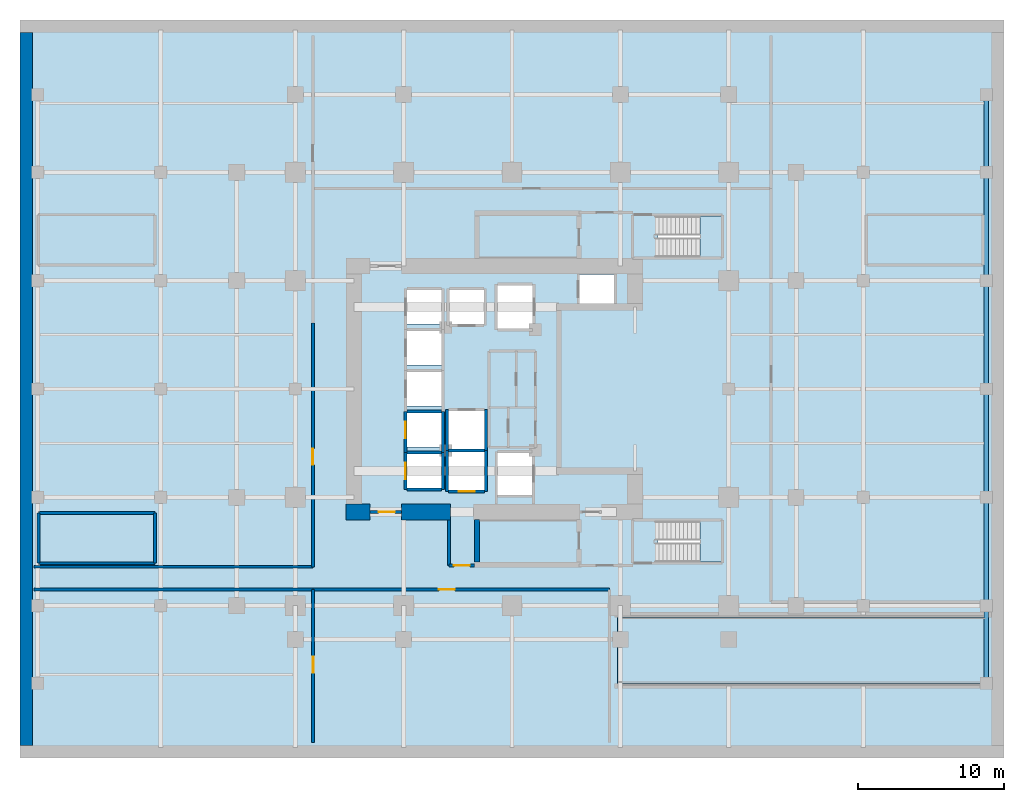
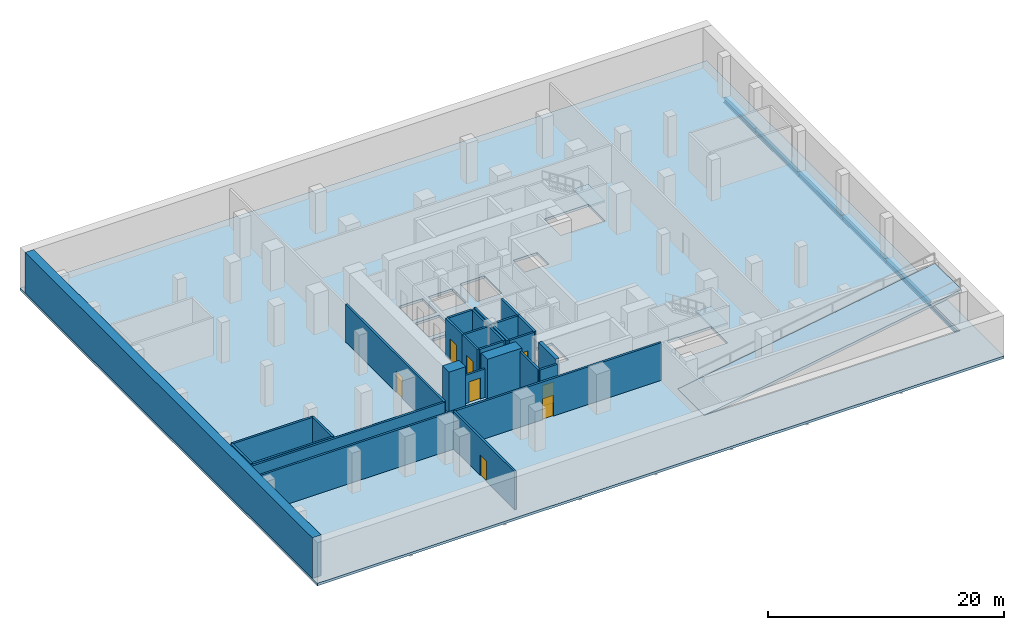
# One storey, part 3 of 7: 29 walls, 8 doors, 6 beams, 4 slabs, 8 openings, 2 elements without a shape of their own.
"""IFC4 building model written with IfcOpenShell, lengths in metres."""

import ifcopenshell
import ifcopenshell.guid

model = None  # the IFC model being written
_history = None  # IfcOwnerHistory: only IFC2X3 demands one
_inside = {}  # id of a spatial element -> (the spatial element, [elements in it])
_under = {}  # id of a project, library or spatial element -> (it, [spatial elements below it])
_declared = {}  # id of a project -> (the project, [libraries it declares])
_typed = {}  # id of a type object -> (the type object, [elements of that type])
_made_of = {}  # id of a material, layer set ... -> (it, [elements and type objects made of it])


def new_model(schema):
    """Start an empty IFC model of exactly this schema.

    Asked for "IFC4X3", IfcOpenShell would pick the latest addendum, in which some entities
    have other attributes; the version numbers below select the first issue.
    IFC2X3 requires an IfcOwnerHistory on every rooted entity: one is made here for all.
    """
    global model, _history
    if schema == "IFC4X3":
        model = ifcopenshell.file(schema_version=(4, 3, 0, 0))
    else:
        model = ifcopenshell.file(schema=schema)
    _inside.clear()
    _under.clear()
    _declared.clear()
    _typed.clear()
    _made_of.clear()
    _history = None
    if model.schema == "IFC2X3":
        org = make("IfcOrganization", Name="unknown")
        user = make(
            "IfcPersonAndOrganization",
            ThePerson=make("IfcPerson", FamilyName="unknown"),
            TheOrganization=org,
        )
        app = make(
            "IfcApplication",
            ApplicationDeveloper=org,
            Version="unknown",
            ApplicationFullName="unknown",
            ApplicationIdentifier="unknown",
        )
        _history = make(
            "IfcOwnerHistory",
            OwningUser=user,
            OwningApplication=app,
            ChangeAction="ADDED",
            CreationDate=0,
        )
    return model


def make(cls, **values):
    """One entity of the class cls with the attributes given. An attribute that is None is left unset."""
    return model.create_entity(
        cls, **{name: value for name, value in values.items() if value is not None}
    )


def rooted(cls, **values):
    """An entity with a GlobalId (a new one), such as an element, a storey or a relation."""
    return make(cls, GlobalId=ifcopenshell.guid.new(), OwnerHistory=_history, **values)


def si_unit(unit_type, name, prefix=None):
    """IfcSIUnit, for example si_unit("LENGTHUNIT", "METRE", prefix="MILLI")."""
    return make("IfcSIUnit", UnitType=unit_type, Prefix=prefix, Name=name)


def assignment(units):
    """IfcUnitAssignment: the units of a project."""
    return None if units is None else make("IfcUnitAssignment", Units=units)


def point(xyz):
    """IfcCartesianPoint."""
    return None if xyz is None else make("IfcCartesianPoint", Coordinates=xyz)


def direction(xyz):
    """IfcDirection."""
    return None if xyz is None else make("IfcDirection", DirectionRatios=xyz)


def frame(location, z_axis=None, x_axis=None):
    """IfcAxis2Placement3D, a coordinate frame: its origin and axes. An axis left out is left unset."""
    return make(
        "IfcAxis2Placement3D",
        Location=point(location),
        Axis=direction(z_axis),
        RefDirection=direction(x_axis),
    )


def frame_2d(location, x_axis=None):
    """IfcAxis2Placement2D, a coordinate frame in the plane: its origin and x axis."""
    return make(
        "IfcAxis2Placement2D", Location=point(location), RefDirection=direction(x_axis)
    )


def origin():
    """The frame at (0, 0, 0) with its axes left unset."""
    return frame((0.0, 0.0, 0.0))


def origin_2d():
    """The frame at (0, 0) in the plane with its x axis left unset."""
    return frame_2d((0.0, 0.0))


def place(relative_to, where):
    """IfcLocalPlacement: puts the frame where relative to a parent placement (None: the world)."""
    return make(
        "IfcLocalPlacement", PlacementRelTo=relative_to, RelativePlacement=where
    )


def context(
    kind, dimensions, precision=None, world=None, true_north=None, identifier=None
):
    """IfcGeometricRepresentationContext, for example the 3D "Model" context."""
    return make(
        "IfcGeometricRepresentationContext",
        ContextIdentifier=identifier,
        ContextType=kind,
        CoordinateSpaceDimension=dimensions,
        Precision=precision,
        WorldCoordinateSystem=world,
        TrueNorth=true_north,
    )


def subcontext(parent, identifier, kind, view, scale=None):
    """IfcGeometricRepresentationSubContext, for example "Body" below "Model"."""
    return make(
        "IfcGeometricRepresentationSubContext",
        ContextIdentifier=identifier,
        ContextType=kind,
        ParentContext=parent,
        TargetScale=scale,
        TargetView=view,
    )


def project(units=None, contexts=None):
    """IfcProject with its units and contexts."""
    return rooted(
        "IfcProject",
        Name="project",
        RepresentationContexts=contexts,
        UnitsInContext=assignment(units),
    )


def spatial(cls, under=None, at=None, **own):
    """A site, building, storey or space (cls), placed at a placement, below another one or the project."""
    s = rooted(cls, ObjectPlacement=at, **own)
    if under is not None:
        _under.setdefault(under.id(), (under, []))[1].append(s)
    return s


def polyline(points):
    """IfcPolyline through the points."""
    return make("IfcPolyline", Points=[point(p) for p in points])


def profile(cls, at=None, kind="AREA", **sizes):
    """A parametric profile (cls). Its sizes go by their IFC names, for example OverallWidth=200.0."""
    return make(cls, ProfileType=kind, Position=at, **sizes)


def rectangle(**sizes):
    """IfcRectangleProfileDef."""
    return profile("IfcRectangleProfileDef", **sizes)


def i_section(**sizes):
    """IfcIShapeProfileDef."""
    return profile("IfcIShapeProfileDef", **sizes)


def outline(outer, holes=None, kind="AREA"):
    """IfcArbitraryClosedProfileDef: a profile drawn as a closed curve; with holes, ...WithVoids."""
    if holes is None:
        return make("IfcArbitraryClosedProfileDef", ProfileType=kind, OuterCurve=outer)
    return make(
        "IfcArbitraryProfileDefWithVoids",
        ProfileType=kind,
        OuterCurve=outer,
        InnerCurves=holes,
    )


def extrude(swept, where, along, depth):
    """IfcExtrudedAreaSolid: the profile swept, set in the frame where, extruded along a direction by depth."""
    return make(
        "IfcExtrudedAreaSolid",
        SweptArea=swept,
        Position=where,
        ExtrudedDirection=direction(along),
        Depth=depth,
    )


def shape(context_of_items, identifier, shape_type, items):
    """IfcShapeRepresentation: the items that make up one representation, for example the "Body"."""
    return make(
        "IfcShapeRepresentation",
        ContextOfItems=context_of_items,
        RepresentationIdentifier=identifier,
        RepresentationType=shape_type,
        Items=items,
    )


def material(Name=None, Category=None):
    """IfcMaterial."""
    return make("IfcMaterial", Name=Name, Category=Category)


def layer(
    of_material, thickness, ventilated=None, Name=None, Category=None, Priority=None
):
    """IfcMaterialLayer: one layer of a wall or slab, of a material (None: an air gap)."""
    return make(
        "IfcMaterialLayer",
        Material=of_material,
        LayerThickness=thickness,
        IsVentilated=ventilated,
        Name=Name,
        Category=Category,
        Priority=Priority,
    )


def layer_set(layers, Name=None):
    """IfcMaterialLayerSet."""
    return make("IfcMaterialLayerSet", MaterialLayers=layers, LayerSetName=Name)


def material_profile(
    of_material, cross_section, Name=None, Category=None, Priority=None
):
    """IfcMaterialProfile: a cross section and its material."""
    return make(
        "IfcMaterialProfile",
        Name=Name,
        Material=of_material,
        Profile=cross_section,
        Priority=Priority,
        Category=Category,
    )


def profile_set(profiles, Name=None, composite=None):
    """IfcMaterialProfileSet."""
    return make(
        "IfcMaterialProfileSet",
        Name=Name,
        MaterialProfiles=profiles,
        CompositeProfile=composite,
    )


def made_of(thing, what):
    """Note that an element or type object is made of a material, layer set ...; save() writes the relation."""
    if what is not None:
        _made_of.setdefault(what.id(), (what, []))[1].append(thing)
    return thing


def type_object(cls, material=None, **own):
    """A type object (cls), such as IfcWallType, which elements share."""
    return made_of(rooted(cls, **own), material)


def element(
    cls,
    number,
    at=None,
    inside=None,
    cuts=None,
    type_object=None,
    material=None,
    context=None,
    identifier="Body",
    shape_type=None,
    held_by="IfcProductDefinitionShape",
    body=None,
    shapes=None,
    **own,
):
    """One element of the class cls, such as IfcWall. Its Tag is "e" and its number.

    at: its placement. inside: the storey or other place that contains it. cuts: it is an
    opening in that element (IfcRelVoidsElement). A single representation is given by context,
    identifier, shape_type and body (its items); several are given by shapes. held_by: the class
    of the entity that holds the representations. save() writes the other relations.
    """
    e = rooted(cls, Tag="e%d" % number, ObjectPlacement=at, **own)
    if body is not None:
        shapes = [shape(context, identifier, shape_type, body)]
    if shapes is not None:
        e.Representation = make(held_by, Representations=shapes)
    if inside is not None:
        _inside.setdefault(inside.id(), (inside, []))[1].append(e)
    if cuts is not None:
        rooted(
            "IfcRelVoidsElement", RelatingBuildingElement=cuts, RelatedOpeningElement=e
        )
    if type_object is not None:
        _typed.setdefault(type_object.id(), (type_object, []))[1].append(e)
    return made_of(e, material)


def fill(opening, filler):
    """IfcRelFillsElement: the door or window that sits in an opening."""
    return rooted(
        "IfcRelFillsElement",
        RelatingOpeningElement=opening,
        RelatedBuildingElement=filler,
    )


def aggregate(whole, parts):
    """IfcRelAggregates: a whole, such as a stair, and the parts it consists of."""
    return rooted("IfcRelAggregates", RelatingObject=whole, RelatedObjects=parts)


def save(model, path):
    """Write the relations noted so far, then the file.

    IfcRelAggregates (storeys below a building ...), IfcRelContainedInSpatialStructure (elements
    in a storey), IfcRelDefinesByType, IfcRelAssociatesMaterial and IfcRelDeclares: one each for
    every whole, place, type object, material and project.
    """
    for whole, parts in _under.values():
        aggregate(whole, parts)
    for where, things in _inside.values():
        rooted(
            "IfcRelContainedInSpatialStructure",
            RelatedElements=things,
            RelatingStructure=where,
        )
    for kind, things in _typed.values():
        rooted("IfcRelDefinesByType", RelatedObjects=things, RelatingType=kind)
    for what, things in _made_of.values():
        rooted("IfcRelAssociatesMaterial", RelatedObjects=things, RelatingMaterial=what)
    for by, libraries in _declared.values():
        rooted("IfcRelDeclares", RelatingContext=by, RelatedDefinitions=libraries)
    model.write(path)


model = new_model("IFC4")

# Units and contexts
model_context = context("Model", 3, precision=1e-05, world=origin(), true_north=direction((0.0, 1.0)))
body_context = subcontext(model_context, "Body", "Model", "MODEL_VIEW")
ifc_project = project(units=[si_unit("LENGTHUNIT", "METRE"), si_unit("AREAUNIT", "SQUARE_METRE"), si_unit("VOLUMEUNIT", "CUBIC_METRE"), si_unit("PLANEANGLEUNIT", "RADIAN"), si_unit("MASSUNIT", "GRAM", prefix="KILO")], contexts=[model_context])

# Site, building, storey
site_placement = place(None, origin())
site = spatial("IfcSite", under=ifc_project, at=site_placement, CompositionType="ELEMENT")
building_placement = place(site_placement, origin())
building = spatial("IfcBuilding", under=site, at=building_placement, Name="Khorvyn Point Tower", CompositionType="ELEMENT")
storey_placement = place(building_placement, frame((0.0, 0.0, -4.199951171875)))
storey = spatial("IfcBuildingStorey", under=building, at=storey_placement, Name="B1", CompositionType="ELEMENT", Elevation=-4.199951171875)

# Beams
ifc_material_1 = material(Name="Steel S355", Category="steel")
ifc_material_profile = material_profile(ifc_material_1, i_section(OverallWidth=0.300048828125, OverallDepth=0.488037109375, WebThickness=0.010986328125, FlangeThickness=0.01806640625, at=origin_2d()))
ifc_profile_set = profile_set([ifc_material_profile], Name="Steel S355 H488x300x11x18")
beam_type = type_object("IfcBeamType", Name="Steel S355 Spandrel H488x300x11x18", PredefinedType="SPANDREL", material=ifc_profile_set)
beam_1_placement = place(storey_placement, frame((32.39990234375, -20.10009765625, -0.5390625), z_axis=(0.0, 1.0, 0.0), x_axis=(-1.0, 0.0, 0.0)))
element("IfcBeam", 1, at=beam_1_placement, inside=storey, type_object=beam_type, Name="Beam", PredefinedType="SPANDREL", context=body_context, shape_type="SweptSolid", body=[
    extrude(i_section(OverallWidth=0.300048828125, OverallDepth=0.488037109375, WebThickness=0.010986328125, FlangeThickness=0.01806640625, at=origin_2d()), origin(), (0.0, 0.0, 1.0), 5.300048828125),
])
beam_2_placement = place(storey_placement, frame((32.39990234375, -14.800048828125, -0.504150390625), z_axis=(0.0, 1.0, 0.0), x_axis=(-1.0, 0.0, 0.0)))
element("IfcBeam", 2, at=beam_2_placement, inside=storey, type_object=beam_type, Name="Beam", PredefinedType="SPANDREL", context=body_context, shape_type="SweptSolid", body=[
    extrude(i_section(OverallWidth=0.300048828125, OverallDepth=0.488037109375, WebThickness=0.010986328125, FlangeThickness=0.01806640625, at=origin_2d()), origin(), (0.0, 0.0, 1.0), 7.400146484375),
])
for number, where, z_axis, x_axis, name in (
    (3, (32.39990234375, -7.39990234375, -0.504150390625), (0.0, 1.0, 0.0), (-1.0, 0.0, 0.0), "Beam"),
    (4, (32.39990234375, 0.0, -0.504150390625), (0.0, 1.0, 0.0), (-1.0, 0.0, 0.0), "Beam"),
):
    element("IfcBeam", number, at=place(storey_placement, frame(where, z_axis=z_axis, x_axis=x_axis)), inside=storey, type_object=beam_type, Name=name, PredefinedType="SPANDREL", context=body_context, shape_type="SweptSolid", body=[
        extrude(i_section(OverallWidth=0.300048828125, OverallDepth=0.488037109375, WebThickness=0.010986328125, FlangeThickness=0.01806640625, at=origin_2d()), origin(), (0.0, 0.0, 1.0), 7.39990234375),
    ])
beam_3_placement = place(storey_placement, frame((32.39990234375, 7.39990234375, -0.504150390625), z_axis=(0.0, 1.0, 0.0), x_axis=(-1.0, 0.0, 0.0)))
element("IfcBeam", 5, at=beam_3_placement, inside=storey, type_object=beam_type, Name="Beam", PredefinedType="SPANDREL", context=body_context, shape_type="SweptSolid", body=[
    extrude(i_section(OverallWidth=0.300048828125, OverallDepth=0.488037109375, WebThickness=0.010986328125, FlangeThickness=0.01806640625, at=origin_2d()), origin(), (0.0, 0.0, 1.0), 7.400146484375),
])
beam_4_placement = place(storey_placement, frame((32.39990234375, 14.800048828125, -0.504150390625), z_axis=(0.0, 1.0, 0.0), x_axis=(-1.0, 0.0, 0.0)))
element("IfcBeam", 6, at=beam_4_placement, inside=storey, type_object=beam_type, Name="Beam", PredefinedType="SPANDREL", context=body_context, shape_type="SweptSolid", body=[
    extrude(i_section(OverallWidth=0.300048828125, OverallDepth=0.488037109375, WebThickness=0.010986328125, FlangeThickness=0.01806640625, at=origin_2d()), origin(), (0.0, 0.0, 1.0), 5.300048828125),
])

# Slab
ifc_material_2 = material(Name="Concrete C35/45", Category="concrete")
ifc_layer_1 = layer(ifc_material_2, 0.260009765625)
ifc_layer_set_1 = layer_set([ifc_layer_1], Name="Concrete C35/45 Structural Floor Slab 260")
slab_type_1 = type_object("IfcSlabType", Name="Concrete C35/45 Structural Floor Slab 260", PredefinedType="FLOOR", material=ifc_layer_set_1)
slab_1_placement = place(storey_placement, frame((0.0, 0.0, -0.260009765625)))
element("IfcSlab", 7, at=slab_1_placement, inside=storey, type_object=slab_type_1, Name="B1 Main Structural Floor Slab", PredefinedType="FLOOR", context=body_context, shape_type="SweptSolid", body=[
    extrude(outline(polyline([(-33.60009765625, 25.199951171875), (33.60009765625, 25.199951171875), (33.60009765625, -25.199951171875), (-33.60009765625, -25.199951171875), (-33.60009765625, 25.199951171875)]), holes=[polyline([(-4.824951171875, -6.77490234375), (-4.824951171875, -4.425048828125), (-7.175048828125, -4.425048828125), (-7.175048828125, -6.77490234375), (-4.824951171875, -6.77490234375)]), polyline([(-4.324951171875, -6.89990234375), (-1.875, -6.89990234375), (-1.875, -4.300048828125), (-4.324951171875, -4.300048828125), (-4.324951171875, -6.89990234375)]), polyline([(-7.175048828125, -3.97509765625), (-4.824951171875, -3.97509765625), (-4.824951171875, -1.625), (-7.175048828125, -1.625), (-7.175048828125, -3.97509765625)]), polyline([(-7.175048828125, -1.175048828125), (-4.824951171875, -1.175048828125), (-4.824951171875, 1.175048828125), (-7.175048828125, 1.175048828125), (-7.175048828125, -1.175048828125)]), polyline([(-7.175048828125, 1.625), (-4.824951171875, 1.625), (-4.824951171875, 3.97509765625), (-7.175048828125, 3.97509765625), (-7.175048828125, 1.625)]), polyline([(-7.175048828125, 4.425048828125), (-4.824951171875, 4.425048828125), (-4.824951171875, 6.77490234375), (-7.175048828125, 6.77490234375), (-7.175048828125, 4.425048828125)]), polyline([(-4.27490234375, 4.425048828125), (-1.925048828125, 4.425048828125), (-1.925048828125, 6.77490234375), (-4.27490234375, 6.77490234375), (-4.27490234375, 4.425048828125)]), polyline([(32.219970703125, -20.10009765625), (32.219970703125, -15.60009765625), (7.39990234375, -15.60009765625), (7.39990234375, -20.10009765625), (32.219970703125, -20.10009765625)]), polyline([(9.969970703125, -11.820068359375), (14.300048828125, -11.820068359375), (14.300048828125, -9.02001953125), (9.969970703125, -9.02001953125), (9.969970703125, -11.820068359375)]), polyline([(-0.97509765625, -7.22509765625), (1.375, -7.22509765625), (1.375, -4.375), (-0.97509765625, -4.375), (-0.97509765625, -7.22509765625)]), polyline([(-4.324951171875, -4.10009765625), (-1.875, -4.10009765625), (-1.875, -1.5), (-4.324951171875, -1.5), (-4.324951171875, -4.10009765625)]), polyline([(-1.0, 4.125), (1.39990234375, 4.125), (1.39990234375, 7.074951171875), (-1.0, 7.074951171875), (-1.0, 4.125)]), polyline([(4.625, 5.85009765625), (6.97509765625, 5.85009765625), (6.97509765625, 7.830078125), (4.625, 7.830078125), (4.625, 5.85009765625)]), polyline([(9.969970703125, 9.02001953125), (14.300048828125, 9.02001953125), (14.300048828125, 11.820068359375), (9.969970703125, 11.820068359375), (9.969970703125, 9.02001953125)])]), origin(), (0.0, 0.0, 1.0), 0.260009765625),
])

# Stair, slab
ifc_material_3 = material(Name="Concrete C40/50", Category="concrete")
stair_type = type_object("IfcStairType", Name="Tower Concrete C40/50 Dogleg Exit Stair", PredefinedType="HALF_TURN_STAIR", material=ifc_material_3)
stair_1_placement = place(storey_placement, origin())
stair_1 = element("IfcStair", 8, at=stair_1_placement, inside=storey, type_object=stair_type, Name="B1 Basement Garage Smokeproof Stair South", PredefinedType="HALF_TURN_STAIR")
ifc_layer_2 = layer(ifc_material_3, 0.199951171875)
ifc_layer_set_2 = layer_set([ifc_layer_2], Name="Concrete C40/50 Stair Landing Slab 200")
slab_type_2 = type_object("IfcSlabType", Name="Concrete C40/50 Stair Landing Slab 200", PredefinedType="LANDING", material=ifc_layer_set_2)
slab_2_placement = place(storey_placement, frame((0.0, 0.0, 1.89990234375)))
slab_2 = element("IfcSlab", 9, at=slab_2_placement, type_object=slab_type_2, Name="ST-B1 landing 1", PredefinedType="LANDING", context=body_context, shape_type="SweptSolid", body=[
    extrude(outline(polyline([(12.830078125, -11.820068359375), (14.300048828125, -11.820068359375), (14.300048828125, -9.02001953125), (12.830078125, -9.02001953125), (12.830078125, -11.820068359375)])), origin(), (0.0, 0.0, 1.0), 0.199951171875),
])
aggregate(stair_1, [slab_2])

stair_2_placement = place(storey_placement, origin())
stair_2 = element("IfcStair", 10, at=stair_2_placement, inside=storey, type_object=stair_type, Name="B1 Basement Garage Smokeproof Stair North", PredefinedType="HALF_TURN_STAIR")
slab_3_placement = place(storey_placement, frame((0.0, 0.0, 1.89990234375)))
slab_3 = element("IfcSlab", 11, at=slab_3_placement, type_object=slab_type_2, Name="ST-B2 landing 1", PredefinedType="LANDING", context=body_context, shape_type="SweptSolid", body=[
    extrude(outline(polyline([(12.830078125, 9.02001953125), (14.300048828125, 9.02001953125), (14.300048828125, 11.820068359375), (12.830078125, 11.820068359375), (12.830078125, 9.02001953125)])), origin(), (0.0, 0.0, 1.0), 0.199951171875),
])
aggregate(stair_2, [slab_3])

# Slab
ifc_layer_3 = layer(ifc_material_3, 0.280029296875)
ifc_layer_set_3 = layer_set([ifc_layer_3], Name="Concrete C40/50 Vehicle Ramp Slab 280")
slab_type_3 = type_object("IfcSlabType", Name="Concrete C40/50 Vehicle Ramp Slab 280", PredefinedType="FLOOR", material=ifc_layer_set_3)
slab_4_placement = place(storey_placement, frame((7.199951171875, -20.10009765625, 0.0), z_axis=(-0.164397437631, 0.0, 0.98639418211), x_axis=(0.98639418211, 0.0, 0.164397437631)))
element("IfcSlab", 12, at=slab_4_placement, inside=storey, type_object=slab_type_3, Name="Basement Vehicle Exit Ramp B1 to L01", PredefinedType="FLOOR", context=body_context, shape_type="SweptSolid", body=[
    extrude(outline(polyline([(0.0, 0.0), (25.547546436223936, 0.0), (25.547546436223936, 4.500000000000001), (0.0, 4.500000000000001), (0.0, 0.0)])), origin(), (0.0, 0.0, -1.0), 0.280029296875),
])

# Wall
ifc_layer_4 = layer(ifc_material_2, 0.85009765625)
ifc_layer_set_4 = layer_set([ifc_layer_4], Name="Concrete C35/45 Basement Retaining Wall 850")
wall_type_1 = type_object("IfcWallType", Name="Concrete C35/45 Basement Retaining Wall 850", PredefinedType="SOLIDWALL", material=ifc_layer_set_4)
wall_1_placement = place(storey_placement, frame((-33.175048828125, -24.35009765625, 0.0), z_axis=(0.0, 0.0, 1.0), x_axis=(0.0, 1.0, 0.0)))
element("IfcWall", 13, at=wall_1_placement, inside=storey, type_object=wall_type_1, Name="B1 Basement Retaining Wall W", PredefinedType="SOLIDWALL", context=body_context, shape_type="SweptSolid", body=[
    extrude(rectangle(XDim=48.7001953125, YDim=0.85009765625, at=frame_2d((24.35009765625, 0.0))), origin(), (0.0, 0.0, 1.0), 4.199951171875),
])

# Wall, opening, door
ifc_material_4 = material(Name="Concrete C35/45 masonry blockwork", Category="masonry")
ifc_layer_5 = layer(ifc_material_4, 0.199951171875)
ifc_layer_set_5 = layer_set([ifc_layer_5], Name="Concrete C35/45 Blockwork Plant Compartment Wall 200")
wall_type_2 = type_object("IfcWallType", Name="Concrete C35/45 Blockwork Plant Compartment Wall 200", PredefinedType="SOLIDWALL", material=ifc_layer_set_5)
wall_2_placement = place(storey_placement, frame((-13.60009765625, -12.139892578125, 0.0), z_axis=(0.0, 0.0, 1.0), x_axis=(0.0, 1.0, 0.0)))
wall_2 = element("IfcWall", 14, at=wall_2_placement, inside=storey, type_object=wall_type_2, Name="Wall", PredefinedType="SOLIDWALL", context=body_context, shape_type="SweptSolid", body=[
    extrude(rectangle(XDim=16.639892578125, YDim=0.199951171875, at=frame_2d((8.31982421875, 0.0))), origin(), (0.0, 0.0, 1.0), 3.89990234375),
])
opening_1_placement = place(wall_2_placement, frame((6.964111328125, 0.0, 0.0)))
opening_1 = element("IfcOpeningElement", 15, at=opening_1_placement, cuts=wall_2, Name="Opening ID-FL90", PredefinedType="OPENING", context=body_context, shape_type="SweptSolid", body=[
    extrude(rectangle(XDim=1.10009765625, YDim=2.14990234375, at=frame_2d((0.550048828125, 1.074951171875))), frame((0.0, 0.10986328125, 0.0), z_axis=(0.0, -1.0, 0.0), x_axis=(1.0, 0.0, 0.0)), (0.0, 0.0, 1.0), 0.219970703125),
])
ifc_material_5 = material(Name="Galvanised powder-coated steel", Category="steel")
door_type_1 = type_object("IfcDoorType", Name="Fire-Rated Steel Lobby and Stair Door 1100x2150", OperationType="NOTDEFINED", PredefinedType="DOOR", material=ifc_material_5)
door_1_placement = place(opening_1_placement, origin())
door_1 = element("IfcDoor", 16, at=door_1_placement, inside=storey, type_object=door_type_1, Name="Door", OperationType="SINGLE_SWING_RIGHT", OverallHeight=2.14990234375, OverallWidth=1.10009765625, PredefinedType="DOOR", context=body_context, shape_type="SweptSolid", body=[
    extrude(rectangle(XDim=1.10009765625, YDim=2.14990234375, at=frame_2d((0.550048828125, 1.074951171875))), frame((0.0, 0.02490234375, 0.0), z_axis=(0.0, -1.0, 0.0), x_axis=(1.0, 0.0, 0.0)), (0.0, 0.0, 1.0), 0.050048828125),
])
fill(opening_1, door_1)

wall_3_placement = place(storey_placement, frame((-13.580078125, -24.14990234375, 0.0), z_axis=(0.0, 0.0, 1.0), x_axis=(0.0, 1.0, 0.0)))
wall_3 = element("IfcWall", 17, at=wall_3_placement, inside=storey, type_object=wall_type_2, Name="Wall", PredefinedType="SOLIDWALL", context=body_context, shape_type="SweptSolid", body=[
    extrude(rectangle(XDim=10.449951171875, YDim=0.199951171875, at=frame_2d((5.22509765625, 0.0))), origin(), (0.0, 0.0, 1.0), 3.89990234375),
])
opening_2_placement = place(wall_3_placement, frame((4.763427734375, 0.0, 0.0)))
opening_2 = element("IfcOpeningElement", 18, at=opening_2_placement, cuts=wall_3, Name="Opening ID-FL90", PredefinedType="OPENING", context=body_context, shape_type="SweptSolid", body=[
    extrude(rectangle(XDim=1.10009765625, YDim=2.14990234375, at=frame_2d((0.550048828125, 1.074951171875))), frame((0.0, 0.10986328125, 0.0), z_axis=(0.0, -1.0, 0.0), x_axis=(1.0, 0.0, 0.0)), (0.0, 0.0, 1.0), 0.219970703125),
])
door_2_placement = place(opening_2_placement, origin())
door_2 = element("IfcDoor", 19, at=door_2_placement, inside=storey, type_object=door_type_1, Name="Door", OperationType="SINGLE_SWING_RIGHT", OverallHeight=2.14990234375, OverallWidth=1.10009765625, PredefinedType="DOOR", context=body_context, shape_type="SweptSolid", body=[
    extrude(rectangle(XDim=1.10009765625, YDim=2.14990234375, at=frame_2d((0.550048828125, 1.074951171875))), frame((0.0, 0.02490234375, 0.0), z_axis=(0.0, -1.0, 0.0), x_axis=(1.0, 0.0, 0.0)), (0.0, 0.0, 1.0), 0.050048828125),
])
fill(opening_2, door_2)

wall_4_placement = place(storey_placement, frame((-13.580078125, -13.699951171875, 0.0), z_axis=(0.0, 0.0, 1.0), x_axis=(1.0, 0.0, 0.0)))
wall_4 = element("IfcWall", 20, at=wall_4_placement, inside=storey, type_object=wall_type_2, Name="Wall", PredefinedType="SOLIDWALL", context=body_context, shape_type="SweptSolid", body=[
    extrude(rectangle(XDim=20.22998046875, YDim=0.199951171875, at=frame_2d((10.114990234375, 0.0))), origin(), (0.0, 0.0, 1.0), 3.89990234375),
])
opening_3_placement = place(wall_4_placement, frame((8.57958984375, 0.0, 0.0)))
opening_3 = element("IfcOpeningElement", 21, at=opening_3_placement, cuts=wall_4, Name="Opening ID-FL90", PredefinedType="OPENING", context=body_context, shape_type="SweptSolid", body=[
    extrude(rectangle(XDim=1.10009765625, YDim=2.14990234375, at=frame_2d((0.550048828125, 1.074951171875))), frame((0.0, 0.10986328125, 0.0), z_axis=(0.0, -1.0, 0.0), x_axis=(1.0, 0.0, 0.0)), (0.0, 0.0, 1.0), 0.219970703125),
])
door_3_placement = place(opening_3_placement, origin())
door_3 = element("IfcDoor", 22, at=door_3_placement, inside=storey, type_object=door_type_1, Name="Door", OperationType="SINGLE_SWING_LEFT", OverallHeight=2.14990234375, OverallWidth=1.10009765625, PredefinedType="DOOR", context=body_context, shape_type="SweptSolid", body=[
    extrude(rectangle(XDim=1.10009765625, YDim=2.14990234375, at=frame_2d((0.550048828125, 1.074951171875))), frame((0.0, 0.02490234375, 0.0), z_axis=(0.0, -1.0, 0.0), x_axis=(1.0, 0.0, 0.0)), (0.0, 0.0, 1.0), 0.050048828125),
])
fill(opening_3, door_3)

# Walls
wall_5_placement = place(storey_placement, frame((-32.64990234375, -12.139892578125, 0.0), z_axis=(0.0, 0.0, 1.0), x_axis=(1.0, 0.0, 0.0)))
element("IfcWall", 23, at=wall_5_placement, inside=storey, type_object=wall_type_2, Name="Wall", PredefinedType="SOLIDWALL", context=body_context, shape_type="SweptSolid", body=[
    extrude(rectangle(XDim=19.0498046875, YDim=0.199951171875, at=frame_2d((9.52490234375, 0.0))), origin(), (0.0, 0.0, 1.0), 3.89990234375),
])
wall_6_placement = place(storey_placement, frame((-32.64990234375, -13.699951171875, 0.0), z_axis=(0.0, 0.0, 1.0), x_axis=(1.0, 0.0, 0.0)))
element("IfcWall", 24, at=wall_6_placement, inside=storey, type_object=wall_type_2, Name="Wall", PredefinedType="SOLIDWALL", context=body_context, shape_type="SweptSolid", body=[
    extrude(rectangle(XDim=19.06982421875, YDim=0.199951171875, at=frame_2d((9.534912109375, 0.0))), origin(), (0.0, 0.0, 1.0), 3.89990234375),
])

# Wall, opening, door
ifc_layer_6 = layer(ifc_material_3, 0.199951171875)
ifc_layer_set_6 = layer_set([ifc_layer_6], Name="Concrete C40/50 Fire-Lobby Compartment Wall 200")
wall_type_3 = type_object("IfcWallType", Name="Concrete C40/50 Fire-Lobby Compartment Wall 200", PredefinedType="SOLIDWALL", material=ifc_layer_set_6)
wall_7_placement = place(storey_placement, frame((-9.699951171875, -8.39990234375, 0.0), z_axis=(0.0, 0.0, 1.0), x_axis=(1.0, 0.0, 0.0)))
wall_7 = element("IfcWall", 25, at=wall_7_placement, inside=storey, type_object=wall_type_3, Name="Wall", PredefinedType="SOLIDWALL", context=body_context, shape_type="SweptSolid", body=[
    extrude(rectangle(XDim=2.14990234375, YDim=0.199951171875, at=frame_2d((1.074951171875, 0.0))), origin(), (0.0, 0.0, 1.0), 2.93994140625),
])
opening_4_placement = place(wall_7_placement, frame((0.597900390625, 0.0, 0.0)))
opening_4 = element("IfcOpeningElement", 26, at=opening_4_placement, cuts=wall_7, Name="Opening ID-FL90", PredefinedType="OPENING", context=body_context, shape_type="SweptSolid", body=[
    extrude(rectangle(XDim=1.10009765625, YDim=2.14990234375, at=frame_2d((0.550048828125, 1.074951171875))), frame((0.0, 0.10986328125, 0.0), z_axis=(0.0, -1.0, 0.0), x_axis=(1.0, 0.0, 0.0)), (0.0, 0.0, 1.0), 0.219970703125),
])
door_4_placement = place(opening_4_placement, origin())
door_4 = element("IfcDoor", 27, at=door_4_placement, inside=storey, type_object=door_type_1, Name="Door", OperationType="SINGLE_SWING_LEFT", OverallHeight=2.14990234375, OverallWidth=1.10009765625, PredefinedType="DOOR", context=body_context, shape_type="SweptSolid", body=[
    extrude(rectangle(XDim=1.10009765625, YDim=2.14990234375, at=frame_2d((0.550048828125, 1.074951171875))), frame((0.0, 0.02490234375, 0.0), z_axis=(0.0, -1.0, 0.0), x_axis=(1.0, 0.0, 0.0)), (0.0, 0.0, 1.0), 0.050048828125),
])
fill(opening_4, door_4)

wall_8_placement = place(storey_placement, frame((-4.300048828125, -12.06005859375, 0.0), z_axis=(0.0, 0.0, 1.0), x_axis=(1.0, 0.0, 0.0)))
wall_8 = element("IfcWall", 28, at=wall_8_placement, inside=storey, type_object=wall_type_3, Name="Wall", PredefinedType="SOLIDWALL", context=body_context, shape_type="SweptSolid", body=[
    extrude(rectangle(XDim=1.75, YDim=0.199951171875, at=frame_2d((0.875, 0.0))), origin(), (0.0, 0.0, 1.0), 3.89990234375),
])
opening_5_placement = place(wall_8_placement, frame((0.324951171875, 0.0, 0.0)))
opening_5 = element("IfcOpeningElement", 29, at=opening_5_placement, cuts=wall_8, Name="Opening ID-FL90", PredefinedType="OPENING", context=body_context, shape_type="SweptSolid", body=[
    extrude(rectangle(XDim=1.10009765625, YDim=2.14990234375, at=frame_2d((0.550048828125, 1.074951171875))), frame((0.0, 0.10986328125, 0.0), z_axis=(0.0, -1.0, 0.0), x_axis=(1.0, 0.0, 0.0)), (0.0, 0.0, 1.0), 0.219970703125),
])
door_5_placement = place(opening_5_placement, origin())
door_5 = element("IfcDoor", 30, at=door_5_placement, inside=storey, type_object=door_type_1, Name="Door", OperationType="SINGLE_SWING_LEFT", OverallHeight=2.14990234375, OverallWidth=1.10009765625, PredefinedType="DOOR", context=body_context, shape_type="SweptSolid", body=[
    extrude(rectangle(XDim=1.10009765625, YDim=2.14990234375, at=frame_2d((0.550048828125, 1.074951171875))), frame((0.0, 0.02490234375, 0.0), z_axis=(0.0, -1.0, 0.0), x_axis=(1.0, 0.0, 0.0)), (0.0, 0.0, 1.0), 0.050048828125),
])
fill(opening_5, door_5)

# Walls
wall_9_placement = place(storey_placement, frame((-4.300048828125, -12.06005859375, 0.0), z_axis=(0.0, 0.0, 1.0), x_axis=(0.0, 1.0, 0.0)))
element("IfcWall", 31, at=wall_9_placement, inside=storey, type_object=wall_type_3, Name="Wall", PredefinedType="SOLIDWALL", context=body_context, shape_type="SweptSolid", body=[
    extrude(rectangle(XDim=3.110107421875, YDim=0.199951171875, at=frame_2d((1.55517578125, 0.0))), origin(), (0.0, 0.0, 1.0), 3.89990234375),
])
ifc_layer_7 = layer(ifc_material_3, 0.35009765625)
ifc_layer_set_7 = layer_set([ifc_layer_7], Name="Concrete C40/50 Stair Shaft Structural Wall 350")
wall_type_4 = type_object("IfcWallType", Name="Concrete C40/50 Stair Shaft Structural Wall 350", PredefinedType="SHEAR", material=ifc_layer_set_7)
wall_10_placement = place(storey_placement, frame((-2.3798828125, -11.824951171875, 0.0), z_axis=(0.0, 0.0, 1.0), x_axis=(0.0, 1.0, 0.0)))
element("IfcWall", 32, at=wall_10_placement, inside=storey, type_object=wall_type_4, Name="B1 ST-01 West Shaft Wall", PredefinedType="SHEAR", context=body_context, shape_type="SweptSolid", body=[
    extrude(rectangle(XDim=2.925048828125, YDim=0.35009765625, at=frame_2d((1.46240234375, 0.0))), origin(), (0.0, 0.0, 1.0), 4.199951171875),
])

# Wall, opening, door
ifc_layer_8 = layer(ifc_material_3, 0.199951171875)
ifc_layer_set_8 = layer_set([ifc_layer_8], Name="Concrete C40/50 Structural Hoistway and Stair Shaft Wall 200")
wall_type_5 = type_object("IfcWallType", Name="Concrete C40/50 Structural Hoistway and Stair Shaft Wall 200", PredefinedType="SHEAR", material=ifc_layer_set_8)
wall_11_placement = place(storey_placement, frame((-7.27490234375, -6.875, 0.0), z_axis=(0.0, 0.0, 1.0), x_axis=(0.0, 1.0, 0.0)))
wall_11 = element("IfcWall", 33, at=wall_11_placement, inside=storey, type_object=wall_type_5, Name="Wall", PredefinedType="SHEAR", context=body_context, shape_type="SweptSolid", body=[
    extrude(rectangle(XDim=2.550048828125, YDim=0.199951171875, at=frame_2d((1.27490234375, 0.0))), origin(), (0.0, 0.0, 1.0), 3.89990234375),
])
opening_6_placement = place(wall_11_placement, frame((0.72509765625, 0.0, 0.0)))
opening_6 = element("IfcOpeningElement", 34, at=opening_6_placement, cuts=wall_11, Name="Opening LD-1122", PredefinedType="OPENING", context=body_context, shape_type="SweptSolid", body=[
    extrude(rectangle(XDim=1.10009765625, YDim=2.199951171875, at=frame_2d((0.550048828125, 1.10009765625))), frame((0.0, 0.10986328125, 0.0), z_axis=(0.0, -1.0, 0.0), x_axis=(1.0, 0.0, 0.0)), (0.0, 0.0, 1.0), 0.219970703125),
])
ifc_material_6 = material(Name="Stainless steel 1.4301", Category="steel")
door_type_2 = type_object("IfcDoorType", Name="Stainless Steel Automatic Sliding Lift Landing Door 1100x2200", OperationType="SLIDING_TO_LEFT", PredefinedType="DOOR", material=ifc_material_6)
door_6_placement = place(opening_6_placement, origin())
door_6 = element("IfcDoor", 35, at=door_6_placement, inside=storey, type_object=door_type_2, Name="B1 RL-01 Sliding Lift Landing Door", OperationType="SLIDING_TO_LEFT", OverallHeight=2.199951171875, OverallWidth=1.10009765625, PredefinedType="DOOR", context=body_context, shape_type="SweptSolid", body=[
    extrude(rectangle(XDim=1.10009765625, YDim=2.199951171875, at=frame_2d((0.550048828125, 1.10009765625))), frame((0.0, 0.02490234375, 0.0), z_axis=(0.0, -1.0, 0.0), x_axis=(1.0, 0.0, 0.0)), (0.0, 0.0, 1.0), 0.050048828125),
])
fill(opening_6, door_6)

# Walls
wall_12_placement = place(storey_placement, frame((-4.72509765625, -6.875, 0.0), z_axis=(0.0, 0.0, 1.0), x_axis=(0.0, 1.0, 0.0)))
element("IfcWall", 36, at=wall_12_placement, inside=storey, type_object=wall_type_5, Name="Wall", PredefinedType="SHEAR", context=body_context, shape_type="SweptSolid", body=[
    extrude(rectangle(XDim=2.550048828125, YDim=0.199951171875, at=frame_2d((1.27490234375, 0.0))), origin(), (0.0, 0.0, 1.0), 3.89990234375),
])
for number, where, z_axis, x_axis, name in (
    (37, (-7.175048828125, -6.875, 0.0), (0.0, 0.0, 1.0), (1.0, 0.0, 0.0), "Wall"),
    (38, (-7.175048828125, -4.324951171875, 0.0), (0.0, 0.0, 1.0), (1.0, 0.0, 0.0), "Wall"),
):
    element("IfcWall", number, at=place(storey_placement, frame(where, z_axis=z_axis, x_axis=x_axis)), inside=storey, type_object=wall_type_5, Name=name, PredefinedType="SHEAR", context=body_context, shape_type="SweptSolid", body=[
        extrude(rectangle(XDim=2.35009765625, YDim=0.199951171875, at=frame_2d((1.175048828125, 0.0))), origin(), (0.0, 0.0, 1.0), 3.89990234375),
    ])

# Wall, opening, door
wall_13_placement = place(storey_placement, frame((-7.27490234375, -4.324951171875, 0.0), z_axis=(0.0, 0.0, 1.0), x_axis=(0.0, 1.0, 0.0)))
wall_13 = element("IfcWall", 39, at=wall_13_placement, inside=storey, type_object=wall_type_5, Name="Wall", PredefinedType="SHEAR", context=body_context, shape_type="SweptSolid", body=[
    extrude(rectangle(XDim=2.800048828125, YDim=0.199951171875, at=frame_2d((1.39990234375, 0.0))), origin(), (0.0, 0.0, 1.0), 3.89990234375),
])
opening_7_placement = place(wall_13_placement, frame((0.97509765625, 0.0, 0.0)))
opening_7 = element("IfcOpeningElement", 40, at=opening_7_placement, cuts=wall_13, Name="Opening LD-1122", PredefinedType="OPENING", context=body_context, shape_type="SweptSolid", body=[
    extrude(rectangle(XDim=1.10009765625, YDim=2.199951171875, at=frame_2d((0.550048828125, 1.10009765625))), frame((0.0, 0.10986328125, 0.0), z_axis=(0.0, -1.0, 0.0), x_axis=(1.0, 0.0, 0.0)), (0.0, 0.0, 1.0), 0.219970703125),
])
door_7_placement = place(opening_7_placement, origin())
door_7 = element("IfcDoor", 41, at=door_7_placement, inside=storey, type_object=door_type_2, Name="B1 RL-02 Sliding Lift Landing Door", OperationType="SLIDING_TO_LEFT", OverallHeight=2.199951171875, OverallWidth=1.10009765625, PredefinedType="DOOR", context=body_context, shape_type="SweptSolid", body=[
    extrude(rectangle(XDim=1.10009765625, YDim=2.199951171875, at=frame_2d((0.550048828125, 1.10009765625))), frame((0.0, 0.02490234375, 0.0), z_axis=(0.0, -1.0, 0.0), x_axis=(1.0, 0.0, 0.0)), (0.0, 0.0, 1.0), 0.050048828125),
])
fill(opening_7, door_7)

# Walls
wall_14_placement = place(storey_placement, frame((-4.72509765625, -4.324951171875, 0.0), z_axis=(0.0, 0.0, 1.0), x_axis=(0.0, 1.0, 0.0)))
element("IfcWall", 42, at=wall_14_placement, inside=storey, type_object=wall_type_5, Name="Wall", PredefinedType="SHEAR", context=body_context, shape_type="SweptSolid", body=[
    extrude(rectangle(XDim=2.800048828125, YDim=0.199951171875, at=frame_2d((1.39990234375, 0.0))), origin(), (0.0, 0.0, 1.0), 3.89990234375),
])
wall_15_placement = place(storey_placement, frame((-7.175048828125, -1.52490234375, 0.0), z_axis=(0.0, 0.0, 1.0), x_axis=(1.0, 0.0, 0.0)))
element("IfcWall", 43, at=wall_15_placement, inside=storey, type_object=wall_type_5, Name="Wall", PredefinedType="SHEAR", context=body_context, shape_type="SweptSolid", body=[
    extrude(rectangle(XDim=2.35009765625, YDim=0.199951171875, at=frame_2d((1.175048828125, 0.0))), origin(), (0.0, 0.0, 1.0), 3.89990234375),
])
for number, where, z_axis, x_axis, name in (
    (44, (-4.425048828125, -7.0, 0.0), (0.0, 0.0, 1.0), (0.0, 1.0, 0.0), "Wall"),
    (45, (-1.77490234375, -7.0, 0.0), (0.0, 0.0, 1.0), (0.0, 1.0, 0.0), "Wall"),
):
    element("IfcWall", number, at=place(storey_placement, frame(where, z_axis=z_axis, x_axis=x_axis)), inside=storey, type_object=wall_type_5, Name=name, PredefinedType="SHEAR", context=body_context, shape_type="SweptSolid", body=[
        extrude(rectangle(XDim=2.800048828125, YDim=0.199951171875, at=frame_2d((1.39990234375, 0.0))), origin(), (0.0, 0.0, 1.0), 3.89990234375),
    ])

# Wall, opening, door
wall_16_placement = place(storey_placement, frame((-4.324951171875, -7.0, 0.0), z_axis=(0.0, 0.0, 1.0), x_axis=(1.0, 0.0, 0.0)))
wall_16 = element("IfcWall", 46, at=wall_16_placement, inside=storey, type_object=wall_type_5, Name="Wall", PredefinedType="SHEAR", context=body_context, shape_type="SweptSolid", body=[
    extrude(rectangle(XDim=2.449951171875, YDim=0.199951171875, at=frame_2d((1.22509765625, 0.0))), origin(), (0.0, 0.0, 1.0), 3.89990234375),
])
opening_8_placement = place(wall_16_placement, frame((0.675048828125, 0.0, 0.0)))
opening_8 = element("IfcOpeningElement", 47, at=opening_8_placement, cuts=wall_16, Name="Opening LD-1122", PredefinedType="OPENING", context=body_context, shape_type="SweptSolid", body=[
    extrude(rectangle(XDim=1.10009765625, YDim=2.199951171875, at=frame_2d((0.550048828125, 1.10009765625))), frame((0.0, 0.10986328125, 0.0), z_axis=(0.0, -1.0, 0.0), x_axis=(1.0, 0.0, 0.0)), (0.0, 0.0, 1.0), 0.219970703125),
])
door_8_placement = place(opening_8_placement, origin())
door_8 = element("IfcDoor", 48, at=door_8_placement, inside=storey, type_object=door_type_2, Name="B1 RS-01 Sliding Lift Landing Door", OperationType="SLIDING_TO_LEFT", OverallHeight=2.199951171875, OverallWidth=1.10009765625, PredefinedType="DOOR", context=body_context, shape_type="SweptSolid", body=[
    extrude(rectangle(XDim=1.10009765625, YDim=2.199951171875, at=frame_2d((0.550048828125, 1.10009765625))), frame((0.0, 0.02490234375, 0.0), z_axis=(0.0, -1.0, 0.0), x_axis=(1.0, 0.0, 0.0)), (0.0, 0.0, 1.0), 0.050048828125),
])
fill(opening_8, door_8)

# Walls
wall_17_placement = place(storey_placement, frame((-4.324951171875, -4.199951171875, 0.0), z_axis=(0.0, 0.0, 1.0), x_axis=(1.0, 0.0, 0.0)))
element("IfcWall", 49, at=wall_17_placement, inside=storey, type_object=wall_type_5, Name="Wall", PredefinedType="SHEAR", context=body_context, shape_type="SweptSolid", body=[
    extrude(rectangle(XDim=2.449951171875, YDim=0.199951171875, at=frame_2d((1.22509765625, 0.0))), origin(), (0.0, 0.0, 1.0), 3.89990234375),
])
for number, where, z_axis, x_axis, name in (
    (50, (-4.425048828125, -4.199951171875, 0.0), (0.0, 0.0, 1.0), (0.0, 1.0, 0.0), "Wall"),
    (51, (-1.77490234375, -4.199951171875, 0.0), (0.0, 0.0, 1.0), (0.0, 1.0, 0.0), "Wall"),
):
    element("IfcWall", number, at=place(storey_placement, frame(where, z_axis=z_axis, x_axis=x_axis)), inside=storey, type_object=wall_type_5, Name=name, PredefinedType="SHEAR", context=body_context, shape_type="SweptSolid", body=[
        extrude(rectangle(XDim=2.800048828125, YDim=0.199951171875, at=frame_2d((1.39990234375, 0.0))), origin(), (0.0, 0.0, 1.0), 3.89990234375),
    ])
for number, where, z_axis, x_axis, name in (
    (52, (-32.330078125, -11.89990234375, 0.0), (0.0, 0.0, 1.0), (0.0, 1.0, 0.0), "Wall"),
    (53, (-24.3701171875, -8.47998046875, 0.0), (0.0, 0.0, 1.0), (0.0, -1.0, 0.0), "Wall"),
):
    element("IfcWall", number, at=place(storey_placement, frame(where, z_axis=z_axis, x_axis=x_axis)), inside=storey, type_object=wall_type_5, Name=name, PredefinedType="SHEAR", context=body_context, shape_type="SweptSolid", body=[
        extrude(rectangle(XDim=3.419921875, YDim=0.199951171875, at=frame_2d((1.7099609375, 0.0))), origin(), (0.0, 0.0, 1.0), 3.89990234375),
    ])
for number, where, z_axis, x_axis, name in (
    (54, (-24.3701171875, -11.89990234375, 0.0), (0.0, 0.0, 1.0), (-1.0, 0.0, 0.0), "Wall"),
    (55, (-32.330078125, -8.47998046875, 0.0), (0.0, 0.0, 1.0), (1.0, 0.0, 0.0), "Wall"),
):
    element("IfcWall", number, at=place(storey_placement, frame(where, z_axis=z_axis, x_axis=x_axis)), inside=storey, type_object=wall_type_5, Name=name, PredefinedType="SHEAR", context=body_context, shape_type="SweptSolid", body=[
        extrude(rectangle(XDim=7.9599609375, YDim=0.199951171875, at=frame_2d((3.97998046875, 0.0))), origin(), (0.0, 0.0, 1.0), 3.89990234375),
    ])
ifc_material_7 = material(Name="Concrete C50/60", Category="concrete")
ifc_layer_9 = layer(ifc_material_7, 1.10009765625)
ifc_layer_set_9 = layer_set([ifc_layer_9], Name="Concrete C50/60 Core Shear Wall 1100")
wall_type_6 = type_object("IfcWallType", Name="Concrete C50/60 Core Shear Wall 1100", PredefinedType="SHEAR", material=ifc_layer_set_9)
wall_18_placement = place(storey_placement, frame((-11.35009765625, -8.39990234375, 0.0), z_axis=(0.0, 0.0, 1.0), x_axis=(1.0, 0.0, 0.0)))
element("IfcWall", 56, at=wall_18_placement, inside=storey, type_object=wall_type_6, Name="Wall", PredefinedType="SHEAR", context=body_context, shape_type="SweptSolid", body=[
    extrude(rectangle(XDim=1.650146484375, YDim=1.10009765625, at=frame_2d((0.8251953125, 0.0))), origin(), (0.0, 0.0, 1.0), 4.199951171875),
])
wall_19_placement = place(storey_placement, frame((-7.550048828125, -8.39990234375, 0.0), z_axis=(0.0, 0.0, 1.0), x_axis=(1.0, 0.0, 0.0)))
element("IfcWall", 57, at=wall_19_placement, inside=storey, type_object=wall_type_6, Name="Wall", PredefinedType="SHEAR", context=body_context, shape_type="SweptSolid", body=[
    extrude(rectangle(XDim=3.35009765625, YDim=1.10009765625, at=frame_2d((1.675048828125, 0.0))), origin(), (0.0, 0.0, 1.0), 4.199951171875),
])

save(model, "model.ifc")
